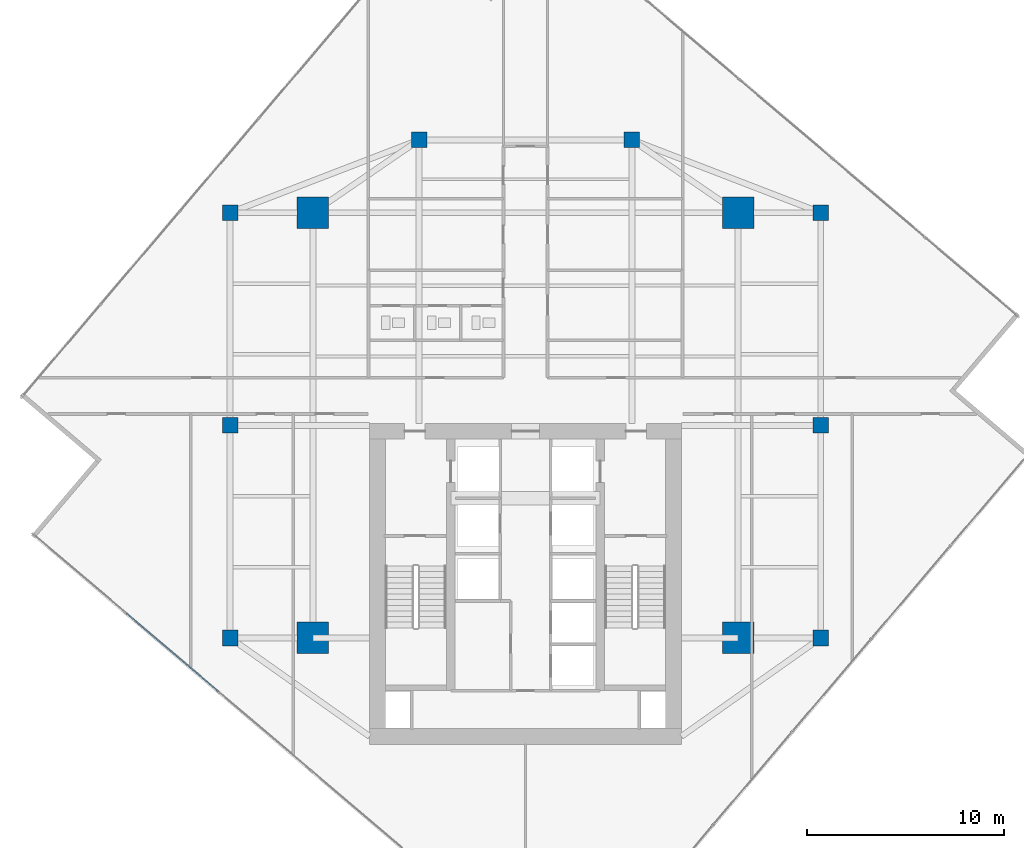
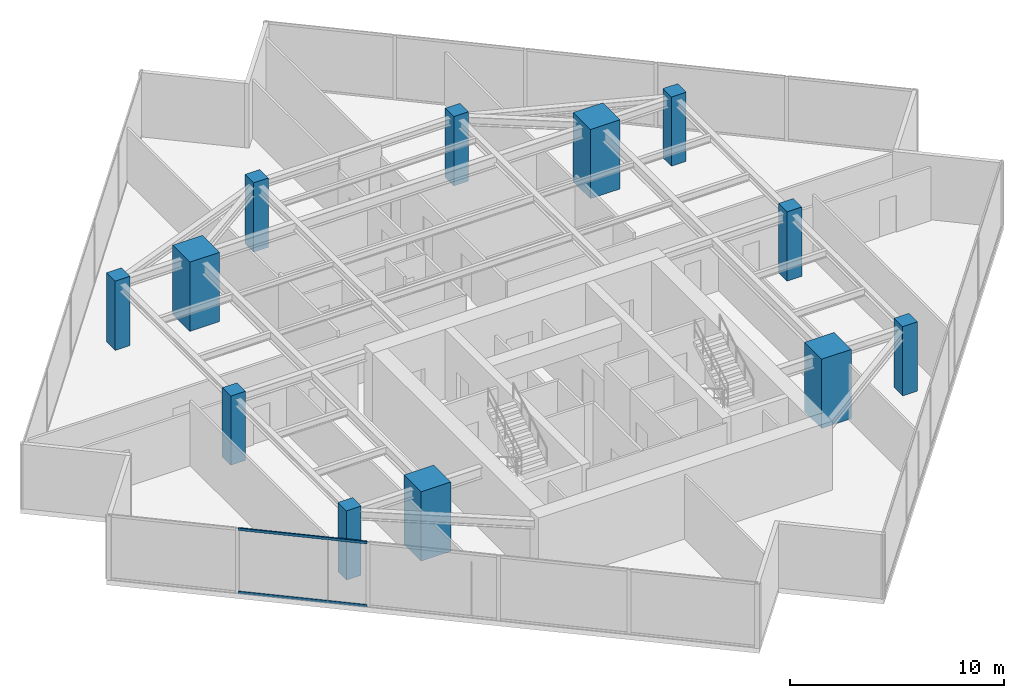
# One storey, part 1 of 25: 12 columns, 2 members, 1 element without a shape of its own.
"""IFC4 building model written with IfcOpenShell, lengths in metres."""

from ifc_helpers import new_model, si_unit, direction, frame, origin, origin_2d, place, context, subcontext, project, spatial, rectangle, hollow_rectangle, extrude, source, transform, mapped, material, material_profile, profile_set, type_object, type_shapes, element, aggregate, save


model = new_model("IFC4")

# Units and contexts
model_context = context("Model", 3, precision=1e-05, world=origin(), true_north=direction((0.0, 1.0)))
body_context = subcontext(model_context, "Body", "Model", "MODEL_VIEW")
ifc_project = project(units=[si_unit("LENGTHUNIT", "METRE"), si_unit("AREAUNIT", "SQUARE_METRE"), si_unit("VOLUMEUNIT", "CUBIC_METRE"), si_unit("PLANEANGLEUNIT", "RADIAN"), si_unit("MASSUNIT", "GRAM", prefix="KILO")], contexts=[model_context])

# Site, building, storey
site_placement = place(None, origin())
site = spatial("IfcSite", under=ifc_project, at=site_placement, CompositionType="ELEMENT")
building_placement = place(site_placement, origin())
building = spatial("IfcBuilding", under=site, at=building_placement, Name="Krantzveldt Concourse Tower", CompositionType="ELEMENT")
storey_placement = place(building_placement, frame((0.0, 0.0, 215.199951171875)))
storey = spatial("IfcBuildingStorey", under=building, at=storey_placement, Name="L52", CompositionType="ELEMENT", Elevation=215.199951171875)

# Columns
ifc_material_1 = material(Name="Concrete C50/60", Category="concrete")
ifc_material_profile_1 = material_profile(ifc_material_1, rectangle(XDim=1.60009765625, YDim=1.60009765625, at=origin_2d()), Name="Concrete C50/60", Category="concrete")
ifc_profile_set_1 = profile_set([ifc_material_profile_1], Name="Concrete C50/60 - RC 1600x1600")
column_type_1 = type_object("IfcColumnType", Name="COL-MC-1600", PredefinedType="USERDEFINED", material=ifc_profile_set_1)
shared_shape_1 = source(origin(), body_context, "Body", "SweptSolid", [
    extrude(rectangle(XDim=1.60009765625, YDim=1.60009765625, at=origin_2d()), origin(), (0.0, 0.0, 1.0), 3.949951171875),
])
type_shapes(column_type_1, [shared_shape_1])
for number, where, z_axis, x_axis, name in (
    (1, (25.199951171875, 15.89990234375, 0.0), (0.0, 0.0, 1.0), (1.0, 0.0, 0.0), "MC-SW-L52"),
    (2, (46.800048828125, 15.89990234375, 0.0), (0.0, 0.0, 1.0), (1.0, 0.0, 0.0), "MC-SE-L52"),
    (3, (46.800048828125, 37.5, 0.0), (0.0, 0.0, 1.0), (1.0, 0.0, 0.0), "MC-NE-L52"),
    (4, (25.199951171875, 37.5, 0.0), (0.0, 0.0, 1.0), (1.0, 0.0, 0.0), "MC-NW-L52"),
):
    element("IfcColumn", number, at=place(storey_placement, frame(where, z_axis=z_axis, x_axis=x_axis)), inside=storey, type_object=column_type_1, Name=name, ObjectType="MEGA COLUMN", PredefinedType="USERDEFINED", context=body_context, shape_type="MappedRepresentation", body=[
        mapped(shared_shape_1, transform((0.0, 0.0, 0.0), x_axis=(1.0, 0.0, 0.0), y_axis=(0.0, 1.0, 0.0), z_axis=(0.0, 0.0, 1.0), scale=1.0)),
    ])
ifc_material_profile_2 = material_profile(ifc_material_1, rectangle(XDim=0.800048828125, YDim=0.800048828125, at=origin_2d()), Name="Concrete C50/60", Category="concrete")
ifc_profile_set_2 = profile_set([ifc_material_profile_2], Name="Concrete C50/60 - RC 800x800")
column_type_2 = type_object("IfcColumnType", Name="COL-C-Z4", PredefinedType="COLUMN", material=ifc_profile_set_2)
shared_shape_2 = source(origin(), body_context, "Body", "SweptSolid", [
    extrude(rectangle(XDim=0.800048828125, YDim=0.800048828125, at=origin_2d()), origin(), (0.0, 0.0, 1.0), 3.949951171875),
])
type_shapes(column_type_2, [shared_shape_2])
for number, where, z_axis, x_axis, name in (
    (5, (21.0, 15.89990234375, 0.0), (0.0, 0.0, 1.0), (1.0, 0.0, 0.0), "PC-R01-L52"),
    (6, (21.0, 26.699951171875, 0.0), (0.0, 0.0, 1.0), (1.0, 0.0, 0.0), "PC-R02-L52"),
    (7, (21.0, 37.5, 0.0), (0.0, 0.0, 1.0), (1.0, 0.0, 0.0), "PC-R03-L52"),
    (8, (30.60009765625, 41.199951171875, 0.0), (0.0, 0.0, 1.0), (1.0, 0.0, 0.0), "PC-R04-L52"),
    (9, (41.39990234375, 41.199951171875, 0.0), (0.0, 0.0, 1.0), (1.0, 0.0, 0.0), "PC-R05-L52"),
    (10, (51.0, 37.5, 0.0), (0.0, 0.0, 1.0), (1.0, 0.0, 0.0), "PC-R06-L52"),
    (11, (51.0, 26.699951171875, 0.0), (0.0, 0.0, 1.0), (1.0, 0.0, 0.0), "PC-R07-L52"),
    (12, (51.0, 15.89990234375, 0.0), (0.0, 0.0, 1.0), (1.0, 0.0, 0.0), "PC-R08-L52"),
):
    element("IfcColumn", number, at=place(storey_placement, frame(where, z_axis=z_axis, x_axis=x_axis)), inside=storey, type_object=column_type_2, Name=name, PredefinedType="COLUMN", context=body_context, shape_type="MappedRepresentation", body=[
        mapped(shared_shape_2, transform((0.0, 0.0, 0.0), x_axis=(1.0, 0.0, 0.0), y_axis=(0.0, 1.0, 0.0), z_axis=(0.0, 0.0, 1.0), scale=1.0)),
    ])

# Curtain wall, members
ifc_material_2 = material(Name="Anodised aluminium 6063-T6", Category="aluminium")
curtain_wall_type = type_object("IfcCurtainWallType", Name="CW3", PredefinedType="USERDEFINED", material=ifc_material_2)
curtain_wall_placement = place(storey_placement, origin())
curtain_wall = element("IfcCurtainWall", 13, at=curtain_wall_placement, inside=storey, type_object=curtain_wall_type, Name="CW-L52-F04", ObjectType="UNITISED CURTAIN WALL", PredefinedType="USERDEFINED")
ifc_material_profile_3 = material_profile(ifc_material_2, hollow_rectangle(XDim=0.070068359375, YDim=0.139892578125, WallThickness=0.0048828125, at=origin_2d()), Name="Anodised aluminium 6063-T6", Category="aluminium")
ifc_profile_set_3 = profile_set([ifc_material_profile_3], Name="Anodised aluminium 6063-T6 - ALU-TRAN 140x70x5")
member_type = type_object("IfcMemberType", Name="CW-TRN-150", PredefinedType="USERDEFINED", material=ifc_profile_set_3)
shared_shape_3 = source(origin(), body_context, "Body", "SweptSolid", [
    extrude(hollow_rectangle(XDim=0.070068359375, YDim=0.139892578125, WallThickness=0.0048828125, at=origin_2d()), origin(), (0.0, 0.0, 1.0), 6.1298828125),
])
type_shapes(member_type, [shared_shape_3])
member_1_placement = place(storey_placement, frame((15.720458984375, 17.153076171875, 0.03515625), z_axis=(0.761817452252, -0.647791763952, 0.0), x_axis=(0.647791763952, 0.761817452252, 0.0)))
member_1 = element("IfcMember", 14, at=member_1_placement, type_object=member_type, Name="CW-Z34 transom 2.1", ObjectType="TRANSOM", PredefinedType="USERDEFINED", context=body_context, shape_type="MappedRepresentation", body=[
    mapped(shared_shape_3, transform((0.0, 0.0, 0.0), x_axis=(1.0, 0.0, 0.0), y_axis=(0.0, 1.0, 0.0), z_axis=(0.0, 0.0, 1.0), scale=1.0)),
])
member_2_placement = place(storey_placement, frame((15.720458984375, 17.153076171875, 3.635009765625), z_axis=(0.761817452252, -0.647791763952, 0.0), x_axis=(0.647791763952, 0.761817452252, 0.0)))
member_2 = element("IfcMember", 15, at=member_2_placement, type_object=member_type, Name="CW-Z34 transom 2.2", ObjectType="TRANSOM", PredefinedType="USERDEFINED", context=body_context, shape_type="MappedRepresentation", body=[
    mapped(shared_shape_3, transform((0.0, 0.0, 0.0), x_axis=(1.0, 0.0, 0.0), y_axis=(0.0, 1.0, 0.0), z_axis=(0.0, 0.0, 1.0), scale=1.0)),
])
aggregate(curtain_wall, [member_1, member_2])

save(model, "model.ifc")
